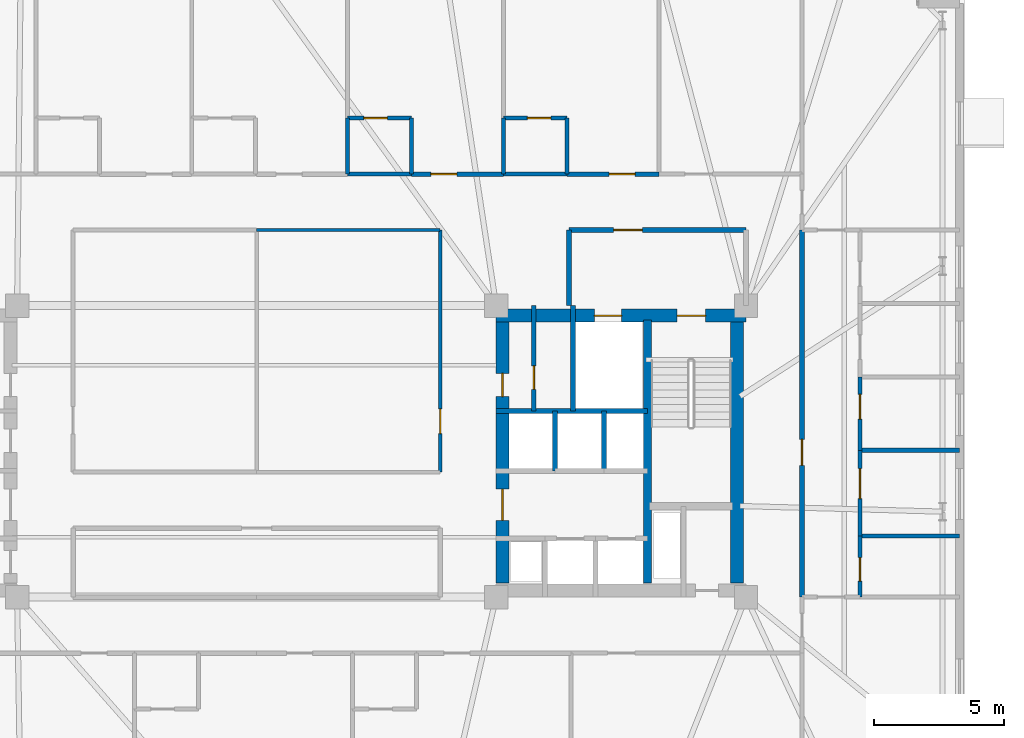
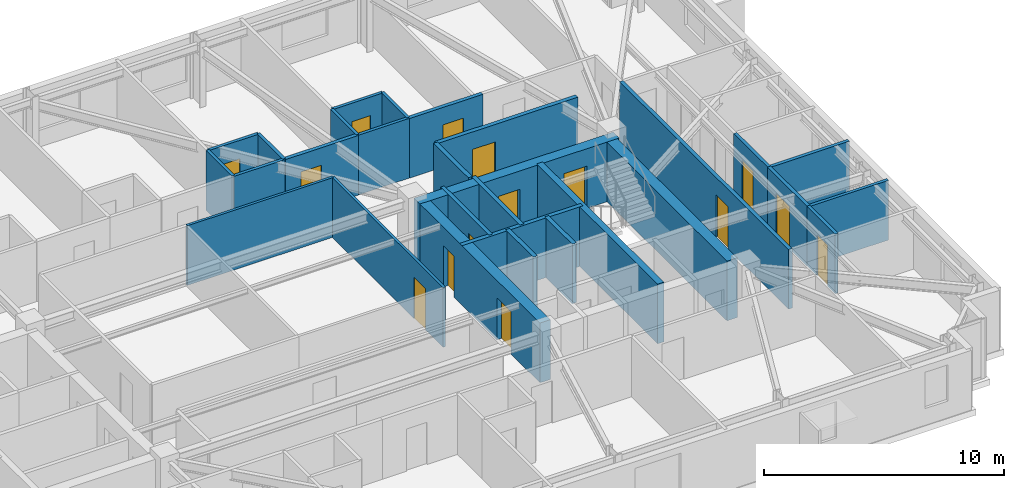
# One storey, part 14 of 18: 29 walls, 15 doors, 15 openings.
"""IFC4 building model written with IfcOpenShell, lengths in metres."""

from ifc_helpers import new_model, si_unit, direction, frame, frame_2d, origin, place, context, subcontext, project, spatial, rectangle, extrude, material, layer, layer_set, type_object, element, fill, save


model = new_model("IFC4")

# Units and contexts
model_context = context("Model", 3, precision=1e-05, world=origin(), true_north=direction((0.0, 1.0)))
body_context = subcontext(model_context, "Body", "Model", "MODEL_VIEW")
ifc_project = project(units=[si_unit("LENGTHUNIT", "METRE"), si_unit("AREAUNIT", "SQUARE_METRE"), si_unit("VOLUMEUNIT", "CUBIC_METRE"), si_unit("PLANEANGLEUNIT", "RADIAN"), si_unit("MASSUNIT", "GRAM", prefix="KILO")], contexts=[model_context])

# Site, building, storey
site_placement = place(None, origin())
site = spatial("IfcSite", under=ifc_project, at=site_placement, CompositionType="ELEMENT")
building_placement = place(site_placement, origin())
building = spatial("IfcBuilding", under=site, at=building_placement, Name="Qobustan Lattice House", CompositionType="ELEMENT")
storey_placement = place(building_placement, frame((0.0, 0.0, 141.050048828125)))
storey = spatial("IfcBuildingStorey", under=building, at=storey_placement, Name="L39", CompositionType="ELEMENT", Elevation=141.050048828125)

# Wall, openings, doors
ifc_material_1 = material(Name="Concrete C50/60", Category="concrete")
ifc_layer_1 = layer(ifc_material_1, 0.5)
ifc_layer_set_1 = layer_set([ifc_layer_1], Name="Concrete C50/60")
wall_type_1 = type_object("IfcWallType", Name="WAL-CORE-500", PredefinedType="SHEAR", material=ifc_layer_set_1)
wall_1_placement = place(storey_placement, frame((9.199951171875, 5.2099609375, 0.0), z_axis=(0.0, 0.0, 1.0), x_axis=(1.0, 0.0, 0.0)))
wall_1 = element("IfcWall", 1, at=wall_1_placement, inside=storey, type_object=wall_type_1, Name="L39 split-core shear wall CE-N", PredefinedType="SHEAR", context=body_context, shape_type="SweptSolid", body=[
    extrude(rectangle(XDim=9.60009765625, YDim=0.5, at=frame_2d((4.800048828125, 0.0))), origin(), (0.0, 0.0, 1.0), 3.0400390625),
])
opening_1_placement = place(wall_1_placement, frame((6.949951171875, 0.0, 0.0)))
opening_1 = element("IfcOpeningElement", 2, at=opening_1_placement, cuts=wall_1, Name="Opening SD-01", PredefinedType="OPENING", context=body_context, shape_type="SweptSolid", body=[
    extrude(rectangle(XDim=1.10009765625, YDim=2.14990234375, at=frame_2d((0.550048828125, 1.074951171875))), frame((0.0, 0.260009765625, 0.0), z_axis=(0.0, -1.0, 0.0), x_axis=(1.0, 0.0, 0.0)), (0.0, 0.0, 1.0), 0.52001953125),
])
opening_2_placement = place(wall_1_placement, frame((3.77490234375, 0.0, 0.0)))
opening_2 = element("IfcOpeningElement", 3, at=opening_2_placement, cuts=wall_1, Name="Opening LD-01", PredefinedType="OPENING", context=body_context, shape_type="SweptSolid", body=[
    extrude(rectangle(XDim=1.050048828125, YDim=2.10009765625, at=frame_2d((0.52490234375, 1.050048828125))), frame((0.0, 0.260009765625, 0.0), z_axis=(0.0, -1.0, 0.0), x_axis=(1.0, 0.0, 0.0)), (0.0, 0.0, 1.0), 0.52001953125),
])
ifc_material_2 = material(Name="Persian walnut timber and steel frame door", Category="steel")
door_type_1 = type_object("IfcDoorType", Name="DOR-LIFT-LD-1050x2100", OperationType="NOTDEFINED", PredefinedType="DOOR", material=ifc_material_2)
door_1_placement = place(opening_2_placement, origin())
door_1 = element("IfcDoor", 4, at=door_1_placement, inside=storey, type_object=door_type_1, Name="L39 firefighting lift FF-E landing door", OperationType="DOUBLE_DOOR_SLIDING", OverallHeight=2.10009765625, OverallWidth=1.050048828125, PredefinedType="DOOR", context=body_context, shape_type="SweptSolid", body=[
    extrude(rectangle(XDim=1.050048828125, YDim=2.10009765625, at=frame_2d((0.52490234375, 1.050048828125))), frame((0.0, 0.02490234375, 0.0), z_axis=(0.0, -1.0, 0.0), x_axis=(1.0, 0.0, 0.0)), (0.0, 0.0, 1.0), 0.050048828125),
])
fill(opening_2, door_1)
ifc_material_3 = material(Name="Persian walnut timber and steel frame door", Category="steel")
door_type_2 = type_object("IfcDoorType", Name="DOR-STAIR-FD-1100x2150", OperationType="NOTDEFINED", PredefinedType="DOOR", material=ifc_material_3)
door_2_placement = place(opening_1_placement, origin())
door_2 = element("IfcDoor", 5, at=door_2_placement, inside=storey, type_object=door_type_2, Name="L39 exit stair ST-E1 fire door", OperationType="SINGLE_SWING_LEFT", OverallHeight=2.14990234375, OverallWidth=1.10009765625, PredefinedType="DOOR", context=body_context, shape_type="SweptSolid", body=[
    extrude(rectangle(XDim=1.10009765625, YDim=2.14990234375, at=frame_2d((0.550048828125, 1.074951171875))), frame((0.0, 0.02490234375, 0.0), z_axis=(0.0, -1.0, 0.0), x_axis=(1.0, 0.0, 0.0)), (0.0, 0.0, 1.0), 0.050048828125),
])
fill(opening_1, door_2)

wall_2_placement = place(storey_placement, frame((9.449951171875, -5.050048828125, 0.0), z_axis=(0.0, 0.0, 1.0), x_axis=(0.0, 1.0, 0.0)))
wall_2 = element("IfcWall", 6, at=wall_2_placement, inside=storey, type_object=wall_type_1, Name="L39 split-core shear wall CE-W", PredefinedType="SHEAR", context=body_context, shape_type="SweptSolid", body=[
    extrude(rectangle(XDim=10.10009765625, YDim=0.5, at=frame_2d((5.050048828125, 0.0))), origin(), (0.0, 0.0, 1.0), 3.0400390625),
])
opening_3_placement = place(wall_2_placement, frame((7.14990234375, 0.0, 0.0)))
opening_3 = element("IfcOpeningElement", 7, at=opening_3_placement, cuts=wall_2, Name="Opening RD-01", PredefinedType="OPENING", context=body_context, shape_type="SweptSolid", body=[
    extrude(rectangle(XDim=0.89990234375, YDim=2.10009765625, at=frame_2d((0.449951171875, 1.050048828125))), frame((0.0, 0.260009765625, 0.0), z_axis=(0.0, -1.0, 0.0), x_axis=(1.0, 0.0, 0.0)), (0.0, 0.0, 1.0), 0.52001953125),
])
opening_4_placement = place(wall_2_placement, frame((2.39990234375, 0.0, 0.0)))
opening_4 = element("IfcOpeningElement", 8, at=opening_4_placement, cuts=wall_2, Name="Opening FD-01", PredefinedType="OPENING", context=body_context, shape_type="SweptSolid", body=[
    extrude(rectangle(XDim=1.199951171875, YDim=2.14990234375, at=frame_2d((0.60009765625, 1.074951171875))), frame((0.0, 0.260009765625, 0.0), z_axis=(0.0, -1.0, 0.0), x_axis=(1.0, 0.0, 0.0)), (0.0, 0.0, 1.0), 0.52001953125),
])
ifc_material_4 = material(Name="Persian walnut timber and steel frame door", Category="steel")
door_type_3 = type_object("IfcDoorType", Name="DOR-LOBBY-FD-1200x2150", OperationType="NOTDEFINED", PredefinedType="DOOR", material=ifc_material_4)
door_3_placement = place(opening_4_placement, origin())
door_3 = element("IfcDoor", 9, at=door_3_placement, inside=storey, type_object=door_type_3, Name="L39 East passenger lift lobby fire door", OperationType="SINGLE_SWING_RIGHT", OverallHeight=2.14990234375, OverallWidth=1.199951171875, PredefinedType="DOOR", context=body_context, shape_type="SweptSolid", body=[
    extrude(rectangle(XDim=1.199951171875, YDim=2.14990234375, at=frame_2d((0.60009765625, 1.074951171875))), frame((0.0, 0.02490234375, 0.0), z_axis=(0.0, -1.0, 0.0), x_axis=(1.0, 0.0, 0.0)), (0.0, 0.0, 1.0), 0.050048828125),
])
fill(opening_4, door_3)
ifc_material_5 = material(Name="Persian walnut timber and steel frame door", Category="steel")
door_type_4 = type_object("IfcDoorType", Name="DOR-RISER-FD-900x2100", OperationType="NOTDEFINED", PredefinedType="DOOR", material=ifc_material_5)
door_4_placement = place(opening_3_placement, origin())
door_4 = element("IfcDoor", 10, at=door_4_placement, inside=storey, type_object=door_type_4, Name="L39 Print and mail closet fire door", OperationType="SINGLE_SWING_LEFT", OverallHeight=2.10009765625, OverallWidth=0.89990234375, PredefinedType="DOOR", context=body_context, shape_type="SweptSolid", body=[
    extrude(rectangle(XDim=0.89990234375, YDim=2.10009765625, at=frame_2d((0.449951171875, 1.050048828125))), frame((0.0, 0.02490234375, 0.0), z_axis=(0.0, -1.0, 0.0), x_axis=(1.0, 0.0, 0.0)), (0.0, 0.0, 1.0), 0.050048828125),
])
fill(opening_3, door_4)

# Walls
wall_3_placement = place(storey_placement, frame((18.4599609375, -5.050048828125, 0.0), z_axis=(0.0, 0.0, 1.0), x_axis=(0.0, 1.0, 0.0)))
element("IfcWall", 11, at=wall_3_placement, inside=storey, type_object=wall_type_1, Name="L39 split-core shear wall CE-E", PredefinedType="SHEAR", context=body_context, shape_type="SweptSolid", body=[
    extrude(rectangle(XDim=10.10009765625, YDim=0.5, at=frame_2d((5.050048828125, 0.0))), origin(), (0.0, 0.0, 1.0), 3.0400390625),
])
ifc_material_6 = material(Name="Concrete C50/60", Category="concrete")
ifc_layer_2 = layer(ifc_material_6, 0.280029296875)
ifc_layer_set_2 = layer_set([ifc_layer_2], Name="Concrete C50/60")
wall_type_2 = type_object("IfcWallType", Name="WAL-CORE-SPINE-280", PredefinedType="SHEAR", material=ifc_layer_set_2)
wall_4_placement = place(storey_placement, frame((15.02001953125, -5.050048828125, 0.0), z_axis=(0.0, 0.0, 1.0), x_axis=(0.0, 1.0, 0.0)))
element("IfcWall", 12, at=wall_4_placement, inside=storey, type_object=wall_type_2, Name="L39 split-core shear wall CE-M", PredefinedType="SHEAR", context=body_context, shape_type="SweptSolid", body=[
    extrude(rectangle(XDim=10.10009765625, YDim=0.300048828125, at=frame_2d((5.050048828125, 0.0))), origin(), (0.0, 0.0, 1.0), 3.0400390625),
])

# Wall, opening, door
ifc_material_7 = material(Name="Gypsum fireboard acoustic partition", Category="gypsum")
ifc_layer_3 = layer(ifc_material_7, 0.179931640625)
ifc_layer_set_3 = layer_set([ifc_layer_3], Name="Gypsum fireboard acoustic partition")
wall_type_3 = type_object("IfcWallType", Name="WAL-FIRE-180", PredefinedType="PARTITIONING", material=ifc_layer_set_3)
wall_5_placement = place(storey_placement, frame((10.64990234375, 1.550048828125, 0.0), z_axis=(0.0, 0.0, 1.0), x_axis=(0.0, 1.0, 0.0)))
wall_5 = element("IfcWall", 13, at=wall_5_placement, inside=storey, type_object=wall_type_3, Name="L39 interior partition 18", PredefinedType="PARTITIONING", context=body_context, shape_type="SweptSolid", body=[
    extrude(rectangle(XDim=4.050048828125, YDim=0.179931640625, at=frame_2d((2.02490234375, 0.0))), origin(), (0.0, 0.0, 1.0), 3.0400390625),
])
opening_5_placement = place(wall_5_placement, frame((0.828857421875, 0.0, 0.0)))
opening_5 = element("IfcOpeningElement", 14, at=opening_5_placement, cuts=wall_5, Name="Opening RD-01", PredefinedType="OPENING", context=body_context, shape_type="SweptSolid", body=[
    extrude(rectangle(XDim=0.89990234375, YDim=2.10009765625, at=frame_2d((0.449951171875, 1.050048828125))), frame((0.0, 0.099853515625, 0.0), z_axis=(0.0, -1.0, 0.0), x_axis=(1.0, 0.0, 0.0)), (0.0, 0.0, 1.0), 0.199951171875),
])
door_5_placement = place(opening_5_placement, origin())
door_5 = element("IfcDoor", 15, at=door_5_placement, inside=storey, type_object=door_type_4, Name="L39 Print and mail closet to Core utility store door", OperationType="SINGLE_SWING_RIGHT", OverallHeight=2.10009765625, OverallWidth=0.89990234375, PredefinedType="DOOR", context=body_context, shape_type="SweptSolid", body=[
    extrude(rectangle(XDim=0.89990234375, YDim=2.10009765625, at=frame_2d((0.449951171875, 1.050048828125))), frame((0.0, 0.02490234375, 0.0), z_axis=(0.0, -1.0, 0.0), x_axis=(1.0, 0.0, 0.0)), (0.0, 0.0, 1.0), 0.050048828125),
])
fill(opening_5, door_5)

wall_6_placement = place(storey_placement, frame((5.943115234375, 10.64990234375, 0.0), z_axis=(0.0, 0.0, 1.0), x_axis=(1.0, 0.0, 0.0)))
wall_6 = element("IfcWall", 16, at=wall_6_placement, inside=storey, type_object=wall_type_3, Name="L39 interior partition 41", PredefinedType="PARTITIONING", context=body_context, shape_type="SweptSolid", body=[
    extrude(rectangle(XDim=3.535888671875, YDim=0.179931640625, at=frame_2d((1.76806640625, 0.0))), origin(), (0.0, 0.0, 1.0), 3.0400390625),
])
opening_6_placement = place(wall_6_placement, frame((0.751953125, 0.0, 0.0)))
opening_6 = element("IfcOpeningElement", 17, at=opening_6_placement, cuts=wall_6, Name="Opening FD-02", PredefinedType="OPENING", context=body_context, shape_type="SweptSolid", body=[
    extrude(rectangle(XDim=1.0, YDim=2.14990234375, at=frame_2d((0.5, 1.074951171875))), frame((0.0, 0.099853515625, 0.0), z_axis=(0.0, -1.0, 0.0), x_axis=(1.0, 0.0, 0.0)), (0.0, 0.0, 1.0), 0.199951171875),
])
ifc_material_8 = material(Name="Persian walnut timber and steel frame door", Category="steel")
door_type_5 = type_object("IfcDoorType", Name="DOR-UNIT-FD-1000x2150", OperationType="NOTDEFINED", PredefinedType="DOOR", material=ifc_material_8)
door_6_placement = place(opening_6_placement, origin())
door_6 = element("IfcDoor", 18, at=door_6_placement, inside=storey, type_object=door_type_5, Name="L39 North-east floor corridor to Kitchenette and studio apartment L39-N5 door", OperationType="SINGLE_SWING_RIGHT", OverallHeight=2.14990234375, OverallWidth=1.0, PredefinedType="DOOR", context=body_context, shape_type="SweptSolid", body=[
    extrude(rectangle(XDim=1.0, YDim=2.14990234375, at=frame_2d((0.5, 1.074951171875))), frame((0.0, 0.02490234375, 0.0), z_axis=(0.0, -1.0, 0.0), x_axis=(1.0, 0.0, 0.0)), (0.0, 0.0, 1.0), 0.050048828125),
])
fill(opening_6, door_6)

wall_7_placement = place(storey_placement, frame((11.928955078125, 10.64990234375, 0.0), z_axis=(0.0, 0.0, 1.0), x_axis=(1.0, 0.0, 0.0)))
wall_7 = element("IfcWall", 19, at=wall_7_placement, inside=storey, type_object=wall_type_3, Name="L39 interior partition 43", PredefinedType="PARTITIONING", context=body_context, shape_type="SweptSolid", body=[
    extrude(rectangle(XDim=3.53515625, YDim=0.179931640625, at=frame_2d((1.767578125, 0.0))), origin(), (0.0, 0.0, 1.0), 3.0400390625),
])
opening_7_placement = place(wall_7_placement, frame((1.611328125, 0.0, 0.0)))
opening_7 = element("IfcOpeningElement", 20, at=opening_7_placement, cuts=wall_7, Name="Opening FD-02", PredefinedType="OPENING", context=body_context, shape_type="SweptSolid", body=[
    extrude(rectangle(XDim=1.0, YDim=2.14990234375, at=frame_2d((0.5, 1.074951171875))), frame((0.0, 0.099853515625, 0.0), z_axis=(0.0, -1.0, 0.0), x_axis=(1.0, 0.0, 0.0)), (0.0, 0.0, 1.0), 0.199951171875),
])
door_7_placement = place(opening_7_placement, origin())
door_7 = element("IfcDoor", 21, at=door_7_placement, inside=storey, type_object=door_type_5, Name="L39 North-east floor corridor to Kitchenette and studio apartment L39-N6 door", OperationType="SINGLE_SWING_LEFT", OverallHeight=2.14990234375, OverallWidth=1.0, PredefinedType="DOOR", context=body_context, shape_type="SweptSolid", body=[
    extrude(rectangle(XDim=1.0, YDim=2.14990234375, at=frame_2d((0.5, 1.074951171875))), frame((0.0, 0.02490234375, 0.0), z_axis=(0.0, -1.0, 0.0), x_axis=(1.0, 0.0, 0.0)), (0.0, 0.0, 1.0), 0.050048828125),
])
fill(opening_7, door_7)

wall_8_placement = place(storey_placement, frame((20.949951171875, 8.5, 0.0), z_axis=(0.0, 0.0, 1.0), x_axis=(0.0, -1.0, 0.0)))
wall_8 = element("IfcWall", 22, at=wall_8_placement, inside=storey, type_object=wall_type_3, Name="L39 interior partition 61", PredefinedType="PARTITIONING", context=body_context, shape_type="SweptSolid", body=[
    extrude(rectangle(XDim=14.10009765625, YDim=0.179931640625, at=frame_2d((7.050048828125, 0.0))), origin(), (0.0, 0.0, 1.0), 3.0400390625),
])
opening_8_placement = place(wall_8_placement, frame((8.04248046875, 0.0, 0.0)))
opening_8 = element("IfcOpeningElement", 23, at=opening_8_placement, cuts=wall_8, Name="Opening FD-02", PredefinedType="OPENING", context=body_context, shape_type="SweptSolid", body=[
    extrude(rectangle(XDim=1.0, YDim=2.14990234375, at=frame_2d((0.5, 1.074951171875))), frame((0.0, 0.099853515625, 0.0), z_axis=(0.0, -1.0, 0.0), x_axis=(1.0, 0.0, 0.0)), (0.0, 0.0, 1.0), 0.199951171875),
])
door_8_placement = place(opening_8_placement, origin())
door_8 = element("IfcDoor", 24, at=door_8_placement, inside=storey, type_object=door_type_5, Name="L39 East wing spine gallery to Residence entrance hall L39E door", OperationType="SINGLE_SWING_LEFT", OverallHeight=2.14990234375, OverallWidth=1.0, PredefinedType="DOOR", context=body_context, shape_type="SweptSolid", body=[
    extrude(rectangle(XDim=1.0, YDim=2.14990234375, at=frame_2d((0.5, 1.074951171875))), frame((0.0, 0.02490234375, 0.0), z_axis=(0.0, -1.0, 0.0), x_axis=(1.0, 0.0, 0.0)), (0.0, 0.0, 1.0), 0.050048828125),
])
fill(opening_8, door_8)

# Wall
ifc_material_9 = material(Name="Lightweight acoustic stud partition", Category="gypsum")
ifc_layer_4 = layer(ifc_material_9, 0.125)
ifc_layer_set_4 = layer_set([ifc_layer_4], Name="Lightweight acoustic stud partition")
wall_type_4 = type_object("IfcWallType", Name="WAL-PART-125", PredefinedType="PARTITIONING", material=ifc_layer_set_4)
wall_9_placement = place(storey_placement, frame((7.050048828125, 8.5, 0.0), z_axis=(0.0, 0.0, 1.0), x_axis=(-1.0, 0.0, 0.0)))
element("IfcWall", 25, at=wall_9_placement, inside=storey, type_object=wall_type_4, Name="L39 interior partition 46", PredefinedType="PARTITIONING", context=body_context, shape_type="SweptSolid", body=[
    extrude(rectangle(XDim=7.050048828125, YDim=0.125, at=frame_2d((3.52490234375, 0.0))), origin(), (0.0, 0.0, 1.0), 3.0400390625),
])

# Wall, opening, door
wall_10_placement = place(storey_placement, frame((7.050048828125, -0.800048828125, 0.0), z_axis=(0.0, 0.0, 1.0), x_axis=(0.0, 1.0, 0.0)))
wall_10 = element("IfcWall", 26, at=wall_10_placement, inside=storey, type_object=wall_type_4, Name="L39 interior partition 67", PredefinedType="PARTITIONING", context=body_context, shape_type="SweptSolid", body=[
    extrude(rectangle(XDim=9.300048828125, YDim=0.125, at=frame_2d((4.64990234375, 0.0))), origin(), (0.0, 0.0, 1.0), 3.0400390625),
])
opening_9_placement = place(wall_10_placement, frame((1.478759765625, 0.0, 0.0)))
opening_9 = element("IfcOpeningElement", 27, at=opening_9_placement, cuts=wall_10, Name="Opening ID-01", PredefinedType="OPENING", context=body_context, shape_type="SweptSolid", body=[
    extrude(rectangle(XDim=0.949951171875, YDim=2.10009765625, at=frame_2d((0.47509765625, 1.050048828125))), frame((0.0, 0.072509765625, 0.0), z_axis=(0.0, -1.0, 0.0), x_axis=(1.0, 0.0, 0.0)), (0.0, 0.0, 1.0), 0.14501953125),
])
ifc_material_10 = material(Name="Persian walnut timber and steel frame door", Category="steel")
door_type_6 = type_object("IfcDoorType", Name="DOR-ROOM-950x2100", OperationType="NOTDEFINED", PredefinedType="DOOR", material=ifc_material_10)
door_9_placement = place(opening_9_placement, origin())
door_9 = element("IfcDoor", 28, at=door_9_placement, inside=storey, type_object=door_type_6, Name="L39 East floor link corridor to Focus booth salon door", OperationType="SINGLE_SWING_RIGHT", OverallHeight=2.10009765625, OverallWidth=0.949951171875, PredefinedType="DOOR", context=body_context, shape_type="SweptSolid", body=[
    extrude(rectangle(XDim=0.949951171875, YDim=2.10009765625, at=frame_2d((0.47509765625, 1.050048828125))), frame((0.0, 0.02490234375, 0.0), z_axis=(0.0, -1.0, 0.0), x_axis=(1.0, 0.0, 0.0)), (0.0, 0.0, 1.0), 0.050048828125),
])
fill(opening_9, door_9)

ifc_material_11 = material(Name="Acoustic twin-stud gypsum partition", Category="gypsum")
ifc_layer_5 = layer(ifc_material_11, 0.14990234375)
ifc_layer_set_5 = layer_set([ifc_layer_5], Name="Acoustic twin-stud gypsum partition")
wall_type_5 = type_object("IfcWallType", Name="WAL-PART-150", PredefinedType="PARTITIONING", material=ifc_layer_set_5)
wall_11_placement = place(storey_placement, frame((23.179931640625, 2.860107421875, 0.0), z_axis=(0.0, 0.0, 1.0), x_axis=(0.0, -1.0, 0.0)))
wall_11 = element("IfcWall", 29, at=wall_11_placement, inside=storey, type_object=wall_type_5, Name="L39 interior partition 90", PredefinedType="PARTITIONING", context=body_context, shape_type="SweptSolid", body=[
    extrude(rectangle(XDim=2.820068359375, YDim=0.14990234375, at=frame_2d((1.41015625, 0.0))), origin(), (0.0, 0.0, 1.0), 3.0400390625),
])
opening_10_placement = place(wall_11_placement, frame((0.668701171875, 0.0, 0.0)))
opening_10 = element("IfcOpeningElement", 30, at=opening_10_placement, cuts=wall_11, Name="Opening ID-01", PredefinedType="OPENING", context=body_context, shape_type="SweptSolid", body=[
    extrude(rectangle(XDim=0.949951171875, YDim=2.10009765625, at=frame_2d((0.47509765625, 1.050048828125))), frame((0.0, 0.0849609375, 0.0), z_axis=(0.0, -1.0, 0.0), x_axis=(1.0, 0.0, 0.0)), (0.0, 0.0, 1.0), 0.169921875),
])
door_10_placement = place(opening_10_placement, origin())
door_10 = element("IfcDoor", 31, at=door_10_placement, inside=storey, type_object=door_type_6, Name="L39 Residence entrance hall L39E to Cluster bedroom L39E1 door", OperationType="SINGLE_SWING_LEFT", OverallHeight=2.10009765625, OverallWidth=0.949951171875, PredefinedType="DOOR", context=body_context, shape_type="SweptSolid", body=[
    extrude(rectangle(XDim=0.949951171875, YDim=2.10009765625, at=frame_2d((0.47509765625, 1.050048828125))), frame((0.0, 0.02490234375, 0.0), z_axis=(0.0, -1.0, 0.0), x_axis=(1.0, 0.0, 0.0)), (0.0, 0.0, 1.0), 0.050048828125),
])
fill(opening_10, door_10)

ifc_material_12 = material(Name="High-mass acoustic twin-stud partition", Category="gypsum")
ifc_layer_6 = layer(ifc_material_12, 0.1650390625)
ifc_layer_set_6 = layer_set([ifc_layer_6], Name="High-mass acoustic twin-stud partition")
wall_type_6 = type_object("IfcWallType", Name="WAL-PART-165", PredefinedType="PARTITIONING", material=ifc_layer_set_6)
wall_12_placement = place(storey_placement, frame((23.179931640625, 0.0400390625, 0.0), z_axis=(0.0, 0.0, 1.0), x_axis=(0.0, -1.0, 0.0)))
wall_12 = element("IfcWall", 32, at=wall_12_placement, inside=storey, type_object=wall_type_6, Name="L39 interior partition 89", PredefinedType="PARTITIONING", context=body_context, shape_type="SweptSolid", body=[
    extrude(rectangle(XDim=3.2900390625, YDim=0.1650390625, at=frame_2d((1.64501953125, 0.0))), origin(), (0.0, 0.0, 1.0), 3.0400390625),
])
opening_11_placement = place(wall_12_placement, frame((0.702392578125, 0.0, 0.0)))
opening_11 = element("IfcOpeningElement", 33, at=opening_11_placement, cuts=wall_12, Name="Opening ID-03", PredefinedType="OPENING", context=body_context, shape_type="SweptSolid", body=[
    extrude(rectangle(XDim=1.14990234375, YDim=2.14990234375, at=frame_2d((0.574951171875, 1.074951171875))), frame((0.0, 0.092529296875, 0.0), z_axis=(0.0, -1.0, 0.0), x_axis=(1.0, 0.0, 0.0)), (0.0, 0.0, 1.0), 0.18505859375),
])
ifc_material_13 = material(Name="Persian walnut timber and steel frame door", Category="steel")
door_type_7 = type_object("IfcDoorType", Name="DOR-KITCH-1150x2150", OperationType="NOTDEFINED", PredefinedType="DOOR", material=ifc_material_13)
door_11_placement = place(opening_11_placement, origin())
door_11 = element("IfcDoor", 34, at=door_11_placement, inside=storey, type_object=door_type_7, Name="L39 Residence entrance hall L39E to Shared kitchen L39E door", OperationType="SINGLE_SWING_RIGHT", OverallHeight=2.14990234375, OverallWidth=1.14990234375, PredefinedType="DOOR", context=body_context, shape_type="SweptSolid", body=[
    extrude(rectangle(XDim=1.14990234375, YDim=2.14990234375, at=frame_2d((0.574951171875, 1.074951171875))), frame((0.0, 0.02490234375, 0.0), z_axis=(0.0, -1.0, 0.0), x_axis=(1.0, 0.0, 0.0)), (0.0, 0.0, 1.0), 0.050048828125),
])
fill(opening_11, door_11)

# Wall
wall_13_placement = place(storey_placement, frame((23.179931640625, 0.0400390625, 0.0), z_axis=(0.0, 0.0, 1.0), x_axis=(1.0, 0.0, 0.0)))
element("IfcWall", 35, at=wall_13_placement, inside=storey, type_object=wall_type_6, Name="L39 interior partition 98", PredefinedType="PARTITIONING", context=body_context, shape_type="SweptSolid", body=[
    extrude(rectangle(XDim=3.820068359375, YDim=0.1650390625, at=frame_2d((1.91015625, 0.0))), origin(), (0.0, 0.0, 1.0), 3.0400390625),
])

# Wall, opening, door
ifc_material_14 = material(Name="Two-hour gypsum fireboard acoustic partition", Category="gypsum")
ifc_layer_7 = layer(ifc_material_14, 0.199951171875)
ifc_layer_set_7 = layer_set([ifc_layer_7], Name="Two-hour gypsum fireboard acoustic partition")
wall_type_7 = type_object("IfcWallType", Name="WAL-PROT-200", PredefinedType="PARTITIONING", material=ifc_layer_set_7)
wall_14_placement = place(storey_placement, frame((18.800048828125, 8.5, 0.0), z_axis=(0.0, 0.0, 1.0), x_axis=(-1.0, 0.0, 0.0)))
wall_14 = element("IfcWall", 36, at=wall_14_placement, inside=storey, type_object=wall_type_7, Name="L39 interior partition 15", PredefinedType="PARTITIONING", context=body_context, shape_type="SweptSolid", body=[
    extrude(rectangle(XDim=6.800048828125, YDim=0.199951171875, at=frame_2d((3.39990234375, 0.0))), origin(), (0.0, 0.0, 1.0), 3.0400390625),
])
opening_12_placement = place(wall_14_placement, frame((3.985107421875, 0.0, 0.0)))
opening_12 = element("IfcOpeningElement", 37, at=opening_12_placement, cuts=wall_14, Name="Opening SD-01", PredefinedType="OPENING", context=body_context, shape_type="SweptSolid", body=[
    extrude(rectangle(XDim=1.10009765625, YDim=2.14990234375, at=frame_2d((0.550048828125, 1.074951171875))), frame((0.0, 0.10986328125, 0.0), z_axis=(0.0, -1.0, 0.0), x_axis=(1.0, 0.0, 0.0)), (0.0, 0.0, 1.0), 0.219970703125),
])
door_12_placement = place(opening_12_placement, origin())
door_12 = element("IfcDoor", 38, at=door_12_placement, inside=storey, type_object=door_type_2, Name="L39 East firefighting lift lobby to North-east floor corridor door", OperationType="SINGLE_SWING_LEFT", OverallHeight=2.14990234375, OverallWidth=1.10009765625, PredefinedType="DOOR", context=body_context, shape_type="SweptSolid", body=[
    extrude(rectangle(XDim=1.10009765625, YDim=2.14990234375, at=frame_2d((0.550048828125, 1.074951171875))), frame((0.0, 0.02490234375, 0.0), z_axis=(0.0, -1.0, 0.0), x_axis=(1.0, 0.0, 0.0)), (0.0, 0.0, 1.0), 0.050048828125),
])
fill(opening_12, door_12)

# Walls
wall_15_placement = place(storey_placement, frame((12.0, 8.5, 0.0), z_axis=(0.0, 0.0, 1.0), x_axis=(0.0, -1.0, 0.0)))
element("IfcWall", 39, at=wall_15_placement, inside=storey, type_object=wall_type_7, Name="L39 interior partition 17", PredefinedType="PARTITIONING", context=body_context, shape_type="SweptSolid", body=[
    extrude(rectangle(XDim=2.89990234375, YDim=0.199951171875, at=frame_2d((1.449951171875, 0.0))), origin(), (0.0, 0.0, 1.0), 3.0400390625),
])
ifc_material_15 = material(Name="Concrete C40/50", Category="concrete")
ifc_layer_8 = layer(ifc_material_15, 0.199951171875)
ifc_layer_set_8 = layer_set([ifc_layer_8], Name="Concrete C40/50")
wall_type_8 = type_object("IfcWallType", Name="WAL-SHAFT-200", PredefinedType="PARTITIONING", material=ifc_layer_set_8)
wall_16_placement = place(storey_placement, frame((12.14990234375, 5.60009765625, 0.0), z_axis=(0.0, 0.0, 1.0), x_axis=(0.0, -1.0, 0.0)))
element("IfcWall", 40, at=wall_16_placement, inside=storey, type_object=wall_type_8, Name="L39 interior partition 14", PredefinedType="PARTITIONING", context=body_context, shape_type="SweptSolid", body=[
    extrude(rectangle(XDim=4.050048828125, YDim=0.199951171875, at=frame_2d((2.02490234375, 0.0))), origin(), (0.0, 0.0, 1.0), 3.0400390625),
])
for number, where, z_axis, x_axis, name in (
    (41, (11.4599609375, -0.75, 0.0), (0.0, 0.0, 1.0), (0.0, 1.0, 0.0), "L39 interior partition 29"),
    (42, (13.340087890625, -0.75, 0.0), (0.0, 0.0, 1.0), (0.0, 1.0, 0.0), "L39 interior partition 30"),
):
    element("IfcWall", number, at=place(storey_placement, frame(where, z_axis=z_axis, x_axis=x_axis)), inside=storey, type_object=wall_type_8, Name=name, PredefinedType="PARTITIONING", context=body_context, shape_type="SweptSolid", body=[
        extrude(rectangle(XDim=2.300048828125, YDim=0.199951171875, at=frame_2d((1.14990234375, 0.0))), origin(), (0.0, 0.0, 1.0), 3.0400390625),
    ])
wall_17_placement = place(storey_placement, frame((9.199951171875, 1.550048828125, 0.0), z_axis=(0.0, 0.0, 1.0), x_axis=(1.0, 0.0, 0.0)))
element("IfcWall", 43, at=wall_17_placement, inside=storey, type_object=wall_type_8, Name="L39 interior partition 135", PredefinedType="PARTITIONING", context=body_context, shape_type="SweptSolid", body=[
    extrude(rectangle(XDim=5.820068359375, YDim=0.199951171875, at=frame_2d((2.91015625, 0.0))), origin(), (0.0, 0.0, 1.0), 3.0400390625),
])
ifc_material_16 = material(Name="Moisture-resistant acoustic plumbing wall", Category="gypsum")
ifc_layer_9 = layer(ifc_material_16, 0.14990234375)
ifc_layer_set_9 = layer_set([ifc_layer_9], Name="Moisture-resistant acoustic plumbing wall")
wall_type_9 = type_object("IfcWallType", Name="WAL-WET-150", PredefinedType="PLUMBINGWALL", material=ifc_layer_set_9)
wall_18_placement = place(storey_placement, frame((3.492919921875, 10.64990234375, 0.0), z_axis=(0.0, 0.0, 1.0), x_axis=(1.0, 0.0, 0.0)))
element("IfcWall", 44, at=wall_18_placement, inside=storey, type_object=wall_type_9, Name="L39 interior partition 42", PredefinedType="PLUMBINGWALL", context=body_context, shape_type="SweptSolid", body=[
    extrude(rectangle(XDim=2.4501953125, YDim=0.14990234375, at=frame_2d((1.22509765625, 0.0))), origin(), (0.0, 0.0, 1.0), 3.0400390625),
])
wall_19_placement = place(storey_placement, frame((9.47900390625, 10.64990234375, 0.0), z_axis=(0.0, 0.0, 1.0), x_axis=(1.0, 0.0, 0.0)))
element("IfcWall", 45, at=wall_19_placement, inside=storey, type_object=wall_type_9, Name="L39 interior partition 44", PredefinedType="PLUMBINGWALL", context=body_context, shape_type="SweptSolid", body=[
    extrude(rectangle(XDim=2.449951171875, YDim=0.14990234375, at=frame_2d((1.22509765625, 0.0))), origin(), (0.0, 0.0, 1.0), 3.0400390625),
])

# Wall, opening, door
wall_20_placement = place(storey_placement, frame((23.179931640625, -3.25, 0.0), z_axis=(0.0, 0.0, 1.0), x_axis=(0.0, -1.0, 0.0)))
wall_20 = element("IfcWall", 46, at=wall_20_placement, inside=storey, type_object=wall_type_9, Name="L39 interior partition 88", PredefinedType="PLUMBINGWALL", context=body_context, shape_type="SweptSolid", body=[
    extrude(rectangle(XDim=2.35009765625, YDim=0.14990234375, at=frame_2d((1.175048828125, 0.0))), origin(), (0.0, 0.0, 1.0), 3.0400390625),
])
opening_13_placement = place(wall_20_placement, frame((0.833740234375, 0.0, 0.0)))
opening_13 = element("IfcOpeningElement", 47, at=opening_13_placement, cuts=wall_20, Name="Opening WD-01", PredefinedType="OPENING", context=body_context, shape_type="SweptSolid", body=[
    extrude(rectangle(XDim=0.89990234375, YDim=2.10009765625, at=frame_2d((0.449951171875, 1.050048828125))), frame((0.0, 0.0849609375, 0.0), z_axis=(0.0, -1.0, 0.0), x_axis=(1.0, 0.0, 0.0)), (0.0, 0.0, 1.0), 0.169921875),
])
ifc_material_17 = material(Name="Persian walnut timber and steel frame door", Category="steel")
door_type_8 = type_object("IfcDoorType", Name="DOR-WET-900x2100", OperationType="NOTDEFINED", PredefinedType="DOOR", material=ifc_material_17)
door_13_placement = place(opening_13_placement, origin())
door_13 = element("IfcDoor", 48, at=door_13_placement, inside=storey, type_object=door_type_8, Name="L39 Residence entrance hall L39E to Shared bathroom L39E door", OperationType="SINGLE_SWING_LEFT", OverallHeight=2.10009765625, OverallWidth=0.89990234375, PredefinedType="DOOR", context=body_context, shape_type="SweptSolid", body=[
    extrude(rectangle(XDim=0.89990234375, YDim=2.10009765625, at=frame_2d((0.449951171875, 1.050048828125))), frame((0.0, 0.02490234375, 0.0), z_axis=(0.0, -1.0, 0.0), x_axis=(1.0, 0.0, 0.0)), (0.0, 0.0, 1.0), 0.050048828125),
])
fill(opening_13, door_13)

# Walls
wall_21_placement = place(storey_placement, frame((23.179931640625, -3.25, 0.0), z_axis=(0.0, 0.0, 1.0), x_axis=(1.0, 0.0, 0.0)))
element("IfcWall", 49, at=wall_21_placement, inside=storey, type_object=wall_type_9, Name="L39 interior partition 97", PredefinedType="PLUMBINGWALL", context=body_context, shape_type="SweptSolid", body=[
    extrude(rectangle(XDim=3.820068359375, YDim=0.14990234375, at=frame_2d((1.91015625, 0.0))), origin(), (0.0, 0.0, 1.0), 3.0400390625),
])
wall_22_placement = place(storey_placement, frame((3.492919921875, 12.800048828125, 0.0), z_axis=(0.0, 0.0, 1.0), x_axis=(0.0, -1.0, 0.0)))
element("IfcWall", 50, at=wall_22_placement, inside=storey, type_object=wall_type_9, Name="L39 interior partition 112", PredefinedType="PLUMBINGWALL", context=body_context, shape_type="SweptSolid", body=[
    extrude(rectangle(XDim=2.150146484375, YDim=0.14990234375, at=frame_2d((1.0751953125, 0.0))), origin(), (0.0, 0.0, 1.0), 3.0400390625),
])

# Wall, opening, door
wall_23_placement = place(storey_placement, frame((5.943115234375, 12.800048828125, 0.0), z_axis=(0.0, 0.0, 1.0), x_axis=(-1.0, 0.0, 0.0)))
wall_23 = element("IfcWall", 51, at=wall_23_placement, inside=storey, type_object=wall_type_9, Name="L39 interior partition 113", PredefinedType="PLUMBINGWALL", context=body_context, shape_type="SweptSolid", body=[
    extrude(rectangle(XDim=2.4501953125, YDim=0.14990234375, at=frame_2d((1.22509765625, 0.0))), origin(), (0.0, 0.0, 1.0), 3.0400390625),
])
opening_14_placement = place(wall_23_placement, frame((0.921142578125, 0.0, 0.0)))
opening_14 = element("IfcOpeningElement", 52, at=opening_14_placement, cuts=wall_23, Name="Opening WD-01", PredefinedType="OPENING", context=body_context, shape_type="SweptSolid", body=[
    extrude(rectangle(XDim=0.89990234375, YDim=2.10009765625, at=frame_2d((0.449951171875, 1.050048828125))), frame((0.0, 0.0849609375, 0.0), z_axis=(0.0, -1.0, 0.0), x_axis=(1.0, 0.0, 0.0)), (0.0, 0.0, 1.0), 0.169921875),
])
door_14_placement = place(opening_14_placement, origin())
door_14 = element("IfcDoor", 53, at=door_14_placement, inside=storey, type_object=door_type_8, Name="L39 Kitchenette and studio apartment L39-N5 to En-suite bathroom L39-N5 door", OperationType="SINGLE_SWING_RIGHT", OverallHeight=2.10009765625, OverallWidth=0.89990234375, PredefinedType="DOOR", context=body_context, shape_type="SweptSolid", body=[
    extrude(rectangle(XDim=0.89990234375, YDim=2.10009765625, at=frame_2d((0.449951171875, 1.050048828125))), frame((0.0, 0.02490234375, 0.0), z_axis=(0.0, -1.0, 0.0), x_axis=(1.0, 0.0, 0.0)), (0.0, 0.0, 1.0), 0.050048828125),
])
fill(opening_14, door_14)

# Walls
for number, where, z_axis, x_axis, name in (
    (54, (5.943115234375, 10.64990234375, 0.0), (0.0, 0.0, 1.0), (0.0, 1.0, 0.0), "L39 interior partition 114"),
    (55, (9.47900390625, 12.800048828125, 0.0), (0.0, 0.0, 1.0), (0.0, -1.0, 0.0), "L39 interior partition 116"),
):
    element("IfcWall", number, at=place(storey_placement, frame(where, z_axis=z_axis, x_axis=x_axis)), inside=storey, type_object=wall_type_9, Name=name, PredefinedType="PLUMBINGWALL", context=body_context, shape_type="SweptSolid", body=[
        extrude(rectangle(XDim=2.150146484375, YDim=0.14990234375, at=frame_2d((1.0751953125, 0.0))), origin(), (0.0, 0.0, 1.0), 3.0400390625),
    ])

# Wall, opening, door
wall_24_placement = place(storey_placement, frame((11.928955078125, 12.800048828125, 0.0), z_axis=(0.0, 0.0, 1.0), x_axis=(-1.0, 0.0, 0.0)))
wall_24 = element("IfcWall", 56, at=wall_24_placement, inside=storey, type_object=wall_type_9, Name="L39 interior partition 117", PredefinedType="PLUMBINGWALL", context=body_context, shape_type="SweptSolid", body=[
    extrude(rectangle(XDim=2.449951171875, YDim=0.14990234375, at=frame_2d((1.22509765625, 0.0))), origin(), (0.0, 0.0, 1.0), 3.0400390625),
])
opening_15_placement = place(wall_24_placement, frame((0.62890625, 0.0, 0.0)))
opening_15 = element("IfcOpeningElement", 57, at=opening_15_placement, cuts=wall_24, Name="Opening WD-01", PredefinedType="OPENING", context=body_context, shape_type="SweptSolid", body=[
    extrude(rectangle(XDim=0.89990234375, YDim=2.10009765625, at=frame_2d((0.449951171875, 1.050048828125))), frame((0.0, 0.0849609375, 0.0), z_axis=(0.0, -1.0, 0.0), x_axis=(1.0, 0.0, 0.0)), (0.0, 0.0, 1.0), 0.169921875),
])
door_15_placement = place(opening_15_placement, origin())
door_15 = element("IfcDoor", 58, at=door_15_placement, inside=storey, type_object=door_type_8, Name="L39 Kitchenette and studio apartment L39-N6 to En-suite bathroom L39-N6 door", OperationType="SINGLE_SWING_LEFT", OverallHeight=2.10009765625, OverallWidth=0.89990234375, PredefinedType="DOOR", context=body_context, shape_type="SweptSolid", body=[
    extrude(rectangle(XDim=0.89990234375, YDim=2.10009765625, at=frame_2d((0.449951171875, 1.050048828125))), frame((0.0, 0.02490234375, 0.0), z_axis=(0.0, -1.0, 0.0), x_axis=(1.0, 0.0, 0.0)), (0.0, 0.0, 1.0), 0.050048828125),
])
fill(opening_15, door_15)

# Wall
wall_25_placement = place(storey_placement, frame((11.928955078125, 10.64990234375, 0.0), z_axis=(0.0, 0.0, 1.0), x_axis=(0.0, 1.0, 0.0)))
element("IfcWall", 59, at=wall_25_placement, inside=storey, type_object=wall_type_9, Name="L39 interior partition 118", PredefinedType="PLUMBINGWALL", context=body_context, shape_type="SweptSolid", body=[
    extrude(rectangle(XDim=2.150146484375, YDim=0.14990234375, at=frame_2d((1.0751953125, 0.0))), origin(), (0.0, 0.0, 1.0), 3.0400390625),
])

save(model, "model.ifc")
